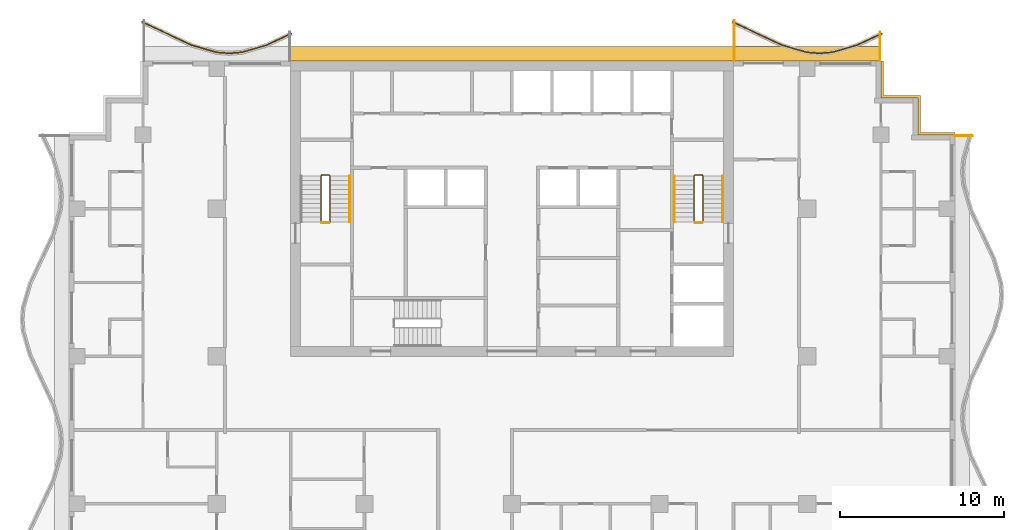
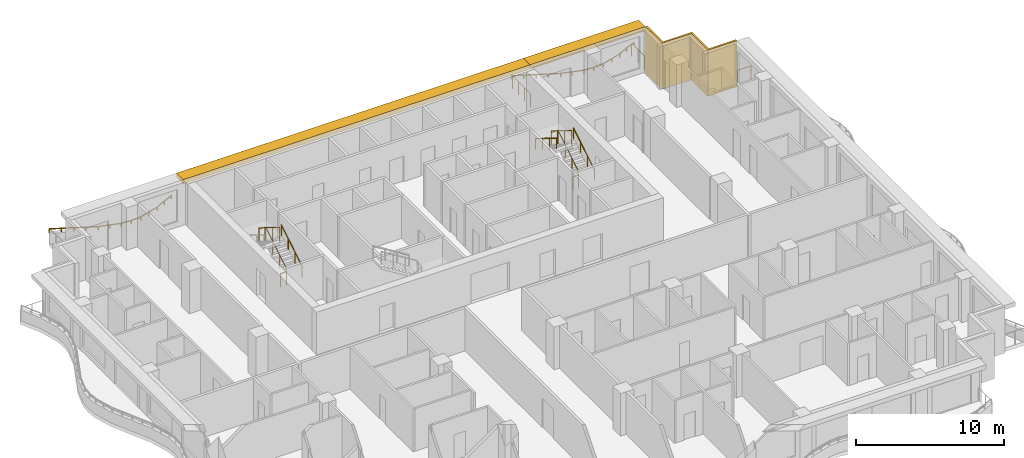
# One storey, part 11 of 11: 12 railings, 3 shading devices.
"""IFC4 building model written with IfcOpenShell, lengths in metres."""

from ifc_helpers import new_model, si_unit, direction, frame, origin, origin_2d, place, context, subcontext, project, spatial, polyline, rectangle, circle, outline, extrude, material, layer, layer_set, type_object, element, save


model = new_model("IFC4")

# Units and contexts
model_context = context("Model", 3, precision=1e-05, world=origin(), true_north=direction((0.0, 1.0)))
body_context = subcontext(model_context, "Body", "Model", "MODEL_VIEW")
ifc_project = project(units=[si_unit("LENGTHUNIT", "METRE"), si_unit("AREAUNIT", "SQUARE_METRE"), si_unit("VOLUMEUNIT", "CUBIC_METRE"), si_unit("PLANEANGLEUNIT", "RADIAN"), si_unit("MASSUNIT", "GRAM", prefix="KILO")], contexts=[model_context])

# Site, building, storey
site_placement = place(None, origin())
site = spatial("IfcSite", under=ifc_project, at=site_placement, CompositionType="ELEMENT")
building_placement = place(site_placement, origin())
building = spatial("IfcBuilding", under=site, at=building_placement, Name="Orbiselva Terraces", CompositionType="ELEMENT")
storey_placement = place(building_placement, frame((0.0, 0.0, 226.2)))
storey = spatial("IfcBuildingStorey", under=building, at=storey_placement, Name="L57", CompositionType="ELEMENT", Elevation=226.2)

# Railings
ifc_material_1 = material(Name="Stainless steel", Category="steel")
railing_type_1 = type_object("IfcRailingType", Name="CORE-GUARD-1100", PredefinedType="GUARDRAIL", material=ifc_material_1)
railing_1_placement = place(storey_placement, frame((-11.1, 12.7, 0.172727)))
element("IfcRailing", 1, at=railing_1_placement, inside=storey, type_object=railing_type_1, Name="L57 S1 stair guard 1", PredefinedType="GUARDRAIL", context=body_context, shape_type="SweptSolid", body=[
    extrude(circle(Radius=0.024, at=origin_2d()), frame((0.0, 0.0, 1.081), z_axis=(0.0, 0.851088519012, 0.52502222125), x_axis=(-1.0, 0.0, 0.0)), (0.0, 0.0, 1.0), 3.289905),
    extrude(circle(Radius=0.024, at=origin_2d()), frame((0.0, 2.8, 2.808273), z_axis=(-0.707106781187, 0.707106781187, 0.0), x_axis=(-0.707106781187, -0.707106781187, 0.0)), (0.0, 0.0, 1.0), 0.070711),
    extrude(circle(Radius=0.024, at=origin_2d()), frame((-0.05, 2.85, 2.808273), z_axis=(-1.0, 0.0, 0.0), x_axis=(0.0, -1.0, 0.0)), (0.0, 0.0, 1.0), 0.45),
    extrude(circle(Radius=0.024, at=origin_2d()), frame((-0.5, 2.85, 2.808273), z_axis=(-0.267894925557, -0.267894925557, 0.925453736133), x_axis=(0.707106781187, -0.707106781187, 0.0)), (0.0, 0.0, 1.0), 0.18664),
    extrude(circle(Radius=0.024, at=origin_2d()), frame((-0.55, 2.8, 2.981), z_axis=(0.0, -0.851088519012, 0.52502222125), x_axis=(1.0, 0.0, 0.0)), (0.0, 0.0, 1.0), 3.289905),
    extrude(circle(Radius=0.021, at=origin_2d()), origin(), (0.0, 0.0, 1.0), 1.057),
    extrude(circle(Radius=0.021, at=origin_2d()), frame((0.0, 0.933333, 0.575758)), (0.0, 0.0, 1.0), 1.057),
    extrude(circle(Radius=0.021, at=origin_2d()), frame((0.0, 1.866667, 1.151515)), (0.0, 0.0, 1.0), 1.057),
    extrude(circle(Radius=0.021, at=origin_2d()), frame((0.0, 2.8, 1.727273)), (0.0, 0.0, 1.0), 1.057),
    extrude(circle(Radius=0.021, at=origin_2d()), frame((-0.05, 2.85, 1.727273)), (0.0, 0.0, 1.0), 1.057),
    extrude(circle(Radius=0.021, at=origin_2d()), frame((-0.5, 2.85, 1.727273)), (0.0, 0.0, 1.0), 1.057),
    extrude(circle(Radius=0.021, at=origin_2d()), frame((-0.55, 2.8, 1.9)), (0.0, 0.0, 1.0), 1.057),
    extrude(circle(Radius=0.021, at=origin_2d()), frame((-0.55, 1.866667, 2.475758)), (0.0, 0.0, 1.0), 1.057),
    extrude(circle(Radius=0.021, at=origin_2d()), frame((-0.55, 0.933333, 3.051515)), (0.0, 0.0, 1.0), 1.057),
    extrude(circle(Radius=0.021, at=origin_2d()), frame((-0.55, 0.0, 3.627273)), (0.0, 0.0, 1.0), 1.057),
])
railing_2_placement = place(storey_placement, frame((-11.15, 12.65, 0.0)))
element("IfcRailing", 2, at=railing_2_placement, inside=storey, type_object=railing_type_1, Name="L57 S1 stair guard 2", PredefinedType="GUARDRAIL", context=body_context, shape_type="SweptSolid", body=[
    extrude(circle(Radius=0.024, at=origin_2d()), frame((0.0, 0.0, 1.081), z_axis=(-1.0, 0.0, 0.0), x_axis=(0.0, -1.0, 0.0)), (0.0, 0.0, 1.0), 0.45),
    extrude(circle(Radius=0.021, at=origin_2d()), origin(), (0.0, 0.0, 1.0), 1.057),
    extrude(circle(Radius=0.021, at=origin_2d()), frame((-0.45, 0.0, 0.0)), (0.0, 0.0, 1.0), 1.057),
])
railing_3_placement = place(storey_placement, frame((11.65, 12.7, 0.172727)))
element("IfcRailing", 3, at=railing_3_placement, inside=storey, type_object=railing_type_1, Name="L57 S2 stair guard 1", PredefinedType="GUARDRAIL", context=body_context, shape_type="SweptSolid", body=[
    extrude(circle(Radius=0.024, at=origin_2d()), frame((0.0, 0.0, 1.081), z_axis=(0.0, 0.851088519012, 0.52502222125), x_axis=(-1.0, 0.0, 0.0)), (0.0, 0.0, 1.0), 3.289905),
    extrude(circle(Radius=0.024, at=origin_2d()), frame((0.0, 2.8, 2.808273), z_axis=(-0.707106781187, 0.707106781187, 0.0), x_axis=(-0.707106781187, -0.707106781187, 0.0)), (0.0, 0.0, 1.0), 0.070711),
    extrude(circle(Radius=0.024, at=origin_2d()), frame((-0.05, 2.85, 2.808273), z_axis=(-1.0, 0.0, 0.0), x_axis=(0.0, -1.0, 0.0)), (0.0, 0.0, 1.0), 0.45),
    extrude(circle(Radius=0.024, at=origin_2d()), frame((-0.5, 2.85, 2.808273), z_axis=(-0.267894925557, -0.267894925557, 0.925453736133), x_axis=(0.707106781187, -0.707106781187, 0.0)), (0.0, 0.0, 1.0), 0.18664),
    extrude(circle(Radius=0.024, at=origin_2d()), frame((-0.55, 2.8, 2.981), z_axis=(0.0, -0.851088519012, 0.52502222125), x_axis=(1.0, 0.0, 0.0)), (0.0, 0.0, 1.0), 3.289905),
    extrude(circle(Radius=0.021, at=origin_2d()), origin(), (0.0, 0.0, 1.0), 1.057),
    extrude(circle(Radius=0.021, at=origin_2d()), frame((0.0, 0.933333, 0.575758)), (0.0, 0.0, 1.0), 1.057),
    extrude(circle(Radius=0.021, at=origin_2d()), frame((0.0, 1.866667, 1.151515)), (0.0, 0.0, 1.0), 1.057),
    extrude(circle(Radius=0.021, at=origin_2d()), frame((0.0, 2.8, 1.727273)), (0.0, 0.0, 1.0), 1.057),
    extrude(circle(Radius=0.021, at=origin_2d()), frame((-0.05, 2.85, 1.727273)), (0.0, 0.0, 1.0), 1.057),
    extrude(circle(Radius=0.021, at=origin_2d()), frame((-0.5, 2.85, 1.727273)), (0.0, 0.0, 1.0), 1.057),
    extrude(circle(Radius=0.021, at=origin_2d()), frame((-0.55, 2.8, 1.9)), (0.0, 0.0, 1.0), 1.057),
    extrude(circle(Radius=0.021, at=origin_2d()), frame((-0.55, 1.866667, 2.475758)), (0.0, 0.0, 1.0), 1.057),
    extrude(circle(Radius=0.021, at=origin_2d()), frame((-0.55, 0.933333, 3.051515)), (0.0, 0.0, 1.0), 1.057),
    extrude(circle(Radius=0.021, at=origin_2d()), frame((-0.55, 0.0, 3.627273)), (0.0, 0.0, 1.0), 1.057),
])
railing_4_placement = place(storey_placement, frame((11.6, 12.65, 0.0)))
element("IfcRailing", 4, at=railing_4_placement, inside=storey, type_object=railing_type_1, Name="L57 S2 stair guard 2", PredefinedType="GUARDRAIL", context=body_context, shape_type="SweptSolid", body=[
    extrude(circle(Radius=0.024, at=origin_2d()), frame((0.0, 0.0, 1.081), z_axis=(-1.0, 0.0, 0.0), x_axis=(0.0, -1.0, 0.0)), (0.0, 0.0, 1.0), 0.45),
    extrude(circle(Radius=0.021, at=origin_2d()), origin(), (0.0, 0.0, 1.0), 1.057),
    extrude(circle(Radius=0.021, at=origin_2d()), frame((-0.45, 0.0, 0.0)), (0.0, 0.0, 1.0), 1.057),
])
railing_type_2 = type_object("IfcRailingType", Name="CORE-HANDRAIL-900", PredefinedType="HANDRAIL", material=ifc_material_1)
for number, where, name in (
    (5, (-9.9, 12.7, 0.172727), "L57 S1 stair handrail 1"),
    (6, (12.85, 12.7, 0.172727), "L57 S2 stair handrail 1"),
):
    element("IfcRailing", number, at=place(storey_placement, frame(where)), inside=storey, type_object=railing_type_2, Name=name, PredefinedType="HANDRAIL", context=body_context, shape_type="SweptSolid", body=[
        extrude(circle(Radius=0.024, at=origin_2d()), frame((0.0, 0.0, 0.876), z_axis=(0.0, 0.851088519012, 0.52502222125), x_axis=(-1.0, 0.0, 0.0)), (0.0, 0.0, 1.0), 3.289905),
        extrude(circle(Radius=0.021, at=origin_2d()), origin(), (0.0, 0.0, 1.0), 0.852),
        extrude(circle(Radius=0.021, at=origin_2d()), frame((0.0, 0.933333, 0.575758)), (0.0, 0.0, 1.0), 0.852),
        extrude(circle(Radius=0.021, at=origin_2d()), frame((0.0, 1.866667, 1.151515)), (0.0, 0.0, 1.0), 0.852),
        extrude(circle(Radius=0.021, at=origin_2d()), frame((0.0, 2.8, 1.727273)), (0.0, 0.0, 1.0), 0.852),
    ])
railing_5_placement = place(storey_placement, frame((9.9, 15.5, 2.072727)))
element("IfcRailing", 7, at=railing_5_placement, inside=storey, type_object=railing_type_2, Name="L57 S2 stair handrail 2", PredefinedType="HANDRAIL", context=body_context, shape_type="SweptSolid", body=[
    extrude(circle(Radius=0.024, at=origin_2d()), frame((0.0, 0.0, 0.876), z_axis=(0.0, -0.851088519012, 0.52502222125), x_axis=(1.0, 0.0, 0.0)), (0.0, 0.0, 1.0), 3.289905),
    extrude(circle(Radius=0.021, at=origin_2d()), origin(), (0.0, 0.0, 1.0), 0.852),
    extrude(circle(Radius=0.021, at=origin_2d()), frame((0.0, -0.933333, 0.575758)), (0.0, 0.0, 1.0), 0.852),
    extrude(circle(Radius=0.021, at=origin_2d()), frame((0.0, -1.866667, 1.151515)), (0.0, 0.0, 1.0), 0.852),
    extrude(circle(Radius=0.021, at=origin_2d()), frame((0.0, -2.8, 1.727273)), (0.0, 0.0, 1.0), 0.852),
])
ifc_material_2 = material(Name="Bonded two-ply safety glass balustrade, stainless steel posts", Category="steel")
railing_type_3 = type_object("IfcRailingType", Name="ENV-BALUSTRADE-1200", PredefinedType="BALUSTRADE", material=ifc_material_2)
railing_6_placement = place(storey_placement, frame((22.553191, 24.186882, 0.9)))
element("IfcRailing", 8, at=railing_6_placement, inside=storey, type_object=railing_type_3, Name="Balcony balustrade L57 NE", PredefinedType="BALUSTRADE", context=body_context, shape_type="SweptSolid", body=[
    extrude(outline(polyline([(0.028868, 0.0), (0.014434, 0.025), (-0.014434, 0.025), (-0.028868, 0.0), (-0.014434, -0.025), (0.014434, -0.025), (0.028868, 0.0)])), frame((0.0, 0.0, 0.275), z_axis=(-0.904944157382, -0.425530342069, 0.0), x_axis=(0.425530342069, -0.904944157382, 0.0)), (0.0, 0.0, 1.0), 1.667376),
    extrude(outline(polyline([(0.028868, 0.0), (0.014434, 0.025), (-0.014434, 0.025), (-0.028868, 0.0), (-0.014434, -0.025), (0.014434, -0.025), (0.028868, 0.0)])), frame((-1.508882, -0.709519, 0.275), z_axis=(-0.960270491427, -0.279070928786, 0.0), x_axis=(0.279070928786, -0.960270491427, 0.0)), (0.0, 0.0, 1.0), 1.584712),
    extrude(outline(polyline([(0.028868, 0.0), (0.014434, 0.025), (-0.014434, 0.025), (-0.028868, 0.0), (-0.014434, -0.025), (0.014434, -0.025), (0.028868, 0.0)])), frame((-3.030634, -1.151766, 0.275), z_axis=(-0.996947796737, -0.078071061106, 0.0), x_axis=(0.078071061106, -0.996947796737, 0.0)), (0.0, 0.0, 1.0), 0.774922),
    extrude(outline(polyline([(0.028868, 0.0), (0.014434, 0.025), (-0.014434, 0.025), (-0.028868, 0.0), (-0.014434, -0.025), (0.014434, -0.025), (0.028868, 0.0)])), frame((-3.803191, -1.212265, 0.275), z_axis=(-0.996947796737, 0.078071061106, 0.0), x_axis=(-0.078071061106, -0.996947796737, 0.0)), (0.0, 0.0, 1.0), 0.774922),
    extrude(outline(polyline([(0.028868, 0.0), (0.014434, 0.025), (-0.014434, 0.025), (-0.028868, 0.0), (-0.014434, -0.025), (0.014434, -0.025), (0.028868, 0.0)])), frame((-4.575748, -1.151766, 0.275), z_axis=(-0.960270491427, 0.279070928786, 0.0), x_axis=(-0.279070928786, -0.960270491427, 0.0)), (0.0, 0.0, 1.0), 1.584712),
    extrude(outline(polyline([(0.028868, 0.0), (0.014434, 0.025), (-0.014434, 0.025), (-0.028868, 0.0), (-0.014434, -0.025), (0.014434, -0.025), (0.028868, 0.0)])), frame((-6.0975, -0.709519, 0.275), z_axis=(-0.904944157382, 0.425530342069, 0.0), x_axis=(-0.425530342069, -0.904944157382, 0.0)), (0.0, 0.0, 1.0), 1.667376),
    extrude(outline(polyline([(0.028868, 0.0), (0.014434, 0.025), (-0.014434, 0.025), (-0.028868, 0.0), (-0.014434, -0.025), (0.014434, -0.025), (0.028868, 0.0)])), frame((-7.606382, 0.0, 0.275), z_axis=(-0.904944257823, 0.425530128467, 0.0), x_axis=(-0.425530128467, -0.904944257823, 0.0)), (0.0, 0.0, 1.0), 1.657561),
    extrude(rectangle(XDim=0.05, YDim=0.05, at=origin_2d()), origin(), (0.0, 0.0, 1.0), 0.25),
    extrude(rectangle(XDim=0.05, YDim=0.05, at=origin_2d()), frame((-0.754441, -0.35476, 0.0)), (0.0, 0.0, 1.0), 0.25),
    extrude(rectangle(XDim=0.05, YDim=0.05, at=origin_2d()), frame((-1.508882, -0.709519, 0.0)), (0.0, 0.0, 1.0), 0.25),
    extrude(rectangle(XDim=0.05, YDim=0.05, at=origin_2d()), frame((-2.269758, -0.930643, 0.0)), (0.0, 0.0, 1.0), 0.25),
    extrude(rectangle(XDim=0.05, YDim=0.05, at=origin_2d()), frame((-3.030634, -1.151766, 0.0)), (0.0, 0.0, 1.0), 0.25),
    extrude(rectangle(XDim=0.05, YDim=0.05, at=origin_2d()), frame((-3.803191, -1.212265, 0.0)), (0.0, 0.0, 1.0), 0.25),
    extrude(rectangle(XDim=0.05, YDim=0.05, at=origin_2d()), frame((-4.575748, -1.151766, 0.0)), (0.0, 0.0, 1.0), 0.25),
    extrude(rectangle(XDim=0.05, YDim=0.05, at=origin_2d()), frame((-5.336624, -0.930643, 0.0)), (0.0, 0.0, 1.0), 0.25),
    extrude(rectangle(XDim=0.05, YDim=0.05, at=origin_2d()), frame((-6.0975, -0.709519, 0.0)), (0.0, 0.0, 1.0), 0.25),
    extrude(rectangle(XDim=0.05, YDim=0.05, at=origin_2d()), frame((-6.851941, -0.35476, 0.0)), (0.0, 0.0, 1.0), 0.25),
    extrude(rectangle(XDim=0.05, YDim=0.05, at=origin_2d()), frame((-7.606382, 0.0, 0.0)), (0.0, 0.0, 1.0), 0.25),
    extrude(rectangle(XDim=0.05, YDim=0.05, at=origin_2d()), frame((-8.356382, 0.352671, 0.0)), (0.0, 0.0, 1.0), 0.25),
    extrude(rectangle(XDim=0.05, YDim=0.05, at=origin_2d()), frame((-9.106382, 0.705342, 0.0)), (0.0, 0.0, 1.0), 0.25),
])
railing_7_placement = place(storey_placement, frame((-13.446809, 24.186882, 0.9)))
element("IfcRailing", 9, at=railing_7_placement, inside=storey, type_object=railing_type_3, Name="Balcony balustrade L57 NW", PredefinedType="BALUSTRADE", context=body_context, shape_type="SweptSolid", body=[
    extrude(outline(polyline([(0.028868, 0.0), (0.014434, 0.025), (-0.014434, 0.025), (-0.028868, 0.0), (-0.014434, -0.025), (0.014434, -0.025), (0.028868, 0.0)])), frame((0.0, 0.0, 0.275), z_axis=(-0.904944157382, -0.425530342069, 0.0), x_axis=(0.425530342069, -0.904944157382, 0.0)), (0.0, 0.0, 1.0), 1.667376),
    extrude(outline(polyline([(0.028868, 0.0), (0.014434, 0.025), (-0.014434, 0.025), (-0.028868, 0.0), (-0.014434, -0.025), (0.014434, -0.025), (0.028868, 0.0)])), frame((-1.508882, -0.709519, 0.275), z_axis=(-0.960270491427, -0.279070928786, 0.0), x_axis=(0.279070928786, -0.960270491427, 0.0)), (0.0, 0.0, 1.0), 1.584712),
    extrude(outline(polyline([(0.028868, 0.0), (0.014434, 0.025), (-0.014434, 0.025), (-0.028868, 0.0), (-0.014434, -0.025), (0.014434, -0.025), (0.028868, 0.0)])), frame((-3.030634, -1.151766, 0.275), z_axis=(-0.996947796737, -0.078071061106, 0.0), x_axis=(0.078071061106, -0.996947796737, 0.0)), (0.0, 0.0, 1.0), 0.774922),
    extrude(outline(polyline([(0.028868, 0.0), (0.014434, 0.025), (-0.014434, 0.025), (-0.028868, 0.0), (-0.014434, -0.025), (0.014434, -0.025), (0.028868, 0.0)])), frame((-3.803191, -1.212265, 0.275), z_axis=(-0.996947796737, 0.078071061106, 0.0), x_axis=(-0.078071061106, -0.996947796737, 0.0)), (0.0, 0.0, 1.0), 0.774922),
    extrude(outline(polyline([(0.028868, 0.0), (0.014434, 0.025), (-0.014434, 0.025), (-0.028868, 0.0), (-0.014434, -0.025), (0.014434, -0.025), (0.028868, 0.0)])), frame((-4.575748, -1.151766, 0.275), z_axis=(-0.960270491427, 0.279070928786, 0.0), x_axis=(-0.279070928786, -0.960270491427, 0.0)), (0.0, 0.0, 1.0), 1.584712),
    extrude(outline(polyline([(0.028868, 0.0), (0.014434, 0.025), (-0.014434, 0.025), (-0.028868, 0.0), (-0.014434, -0.025), (0.014434, -0.025), (0.028868, 0.0)])), frame((-6.0975, -0.709519, 0.275), z_axis=(-0.904944157382, 0.425530342069, 0.0), x_axis=(-0.425530342069, -0.904944157382, 0.0)), (0.0, 0.0, 1.0), 1.667376),
    extrude(outline(polyline([(0.028868, 0.0), (0.014434, 0.025), (-0.014434, 0.025), (-0.028868, 0.0), (-0.014434, -0.025), (0.014434, -0.025), (0.028868, 0.0)])), frame((-7.606382, 0.0, 0.275), z_axis=(-0.904944257823, 0.425530128467, 0.0), x_axis=(-0.425530128467, -0.904944257823, 0.0)), (0.0, 0.0, 1.0), 1.657561),
    extrude(rectangle(XDim=0.05, YDim=0.05, at=origin_2d()), origin(), (0.0, 0.0, 1.0), 0.25),
    extrude(rectangle(XDim=0.05, YDim=0.05, at=origin_2d()), frame((-0.754441, -0.35476, 0.0)), (0.0, 0.0, 1.0), 0.25),
    extrude(rectangle(XDim=0.05, YDim=0.05, at=origin_2d()), frame((-1.508882, -0.709519, 0.0)), (0.0, 0.0, 1.0), 0.25),
    extrude(rectangle(XDim=0.05, YDim=0.05, at=origin_2d()), frame((-2.269758, -0.930643, 0.0)), (0.0, 0.0, 1.0), 0.25),
    extrude(rectangle(XDim=0.05, YDim=0.05, at=origin_2d()), frame((-3.030634, -1.151766, 0.0)), (0.0, 0.0, 1.0), 0.25),
    extrude(rectangle(XDim=0.05, YDim=0.05, at=origin_2d()), frame((-3.803191, -1.212265, 0.0)), (0.0, 0.0, 1.0), 0.25),
    extrude(rectangle(XDim=0.05, YDim=0.05, at=origin_2d()), frame((-4.575748, -1.151766, 0.0)), (0.0, 0.0, 1.0), 0.25),
    extrude(rectangle(XDim=0.05, YDim=0.05, at=origin_2d()), frame((-5.336624, -0.930643, 0.0)), (0.0, 0.0, 1.0), 0.25),
    extrude(rectangle(XDim=0.05, YDim=0.05, at=origin_2d()), frame((-6.0975, -0.709519, 0.0)), (0.0, 0.0, 1.0), 0.25),
    extrude(rectangle(XDim=0.05, YDim=0.05, at=origin_2d()), frame((-6.851941, -0.35476, 0.0)), (0.0, 0.0, 1.0), 0.25),
    extrude(rectangle(XDim=0.05, YDim=0.05, at=origin_2d()), frame((-7.606382, 0.0, 0.0)), (0.0, 0.0, 1.0), 0.25),
    extrude(rectangle(XDim=0.05, YDim=0.05, at=origin_2d()), frame((-8.356382, 0.352671, 0.0)), (0.0, 0.0, 1.0), 0.25),
    extrude(rectangle(XDim=0.05, YDim=0.05, at=origin_2d()), frame((-9.106382, 0.705342, 0.0)), (0.0, 0.0, 1.0), 0.25),
])
ifc_material_3 = material(Name="Stainless steel rail and posts", Category="steel")
railing_type_4 = type_object("IfcRailingType", Name="ENV-GUARD-1105", PredefinedType="BALUSTRADE", material=ifc_material_3)
railing_8_placement = place(storey_placement, frame((28.070484, 17.94, 0.0)))
element("IfcRailing", 10, at=railing_8_placement, inside=storey, type_object=railing_type_4, Name="Balcony end guard L57 E", PredefinedType="BALUSTRADE", context=body_context, shape_type="SweptSolid", body=[
    extrude(outline(polyline([(0.028868, 0.0), (0.014434, 0.025), (-0.014434, 0.025), (-0.028868, 0.0), (-0.014434, -0.025), (0.014434, -0.025), (0.028868, 0.0)])), frame((0.0, 0.0, 1.08), z_axis=(-1.0, 0.0, 0.0), x_axis=(0.0, -1.0, 0.0)), (0.0, 0.0, 1.0), 1.045484),
    extrude(rectangle(XDim=0.05, YDim=0.05, at=origin_2d()), origin(), (0.0, 0.0, 1.0), 1.055),
    extrude(rectangle(XDim=0.05, YDim=0.05, at=origin_2d()), frame((-1.045484, 0.0, 0.0)), (0.0, 0.0, 1.0), 1.055),
])
railing_9_placement = place(storey_placement, frame((22.44, 24.269844, 0.0)))
element("IfcRailing", 11, at=railing_9_placement, inside=storey, type_object=railing_type_4, Name="Balcony end guard L57 NE", PredefinedType="BALUSTRADE", context=body_context, shape_type="SweptSolid", body=[
    extrude(outline(polyline([(0.028868, 0.0), (0.014434, 0.025), (-0.014434, 0.025), (-0.028868, 0.0), (-0.014434, -0.025), (0.014434, -0.025), (0.028868, 0.0)])), frame((0.0, 0.0, 1.08), z_axis=(0.0, -1.0, 0.0), x_axis=(1.0, 0.0, 0.0)), (0.0, 0.0, 1.0), 1.744844),
    extrude(rectangle(XDim=0.05, YDim=0.05, at=origin_2d()), origin(), (0.0, 0.0, 1.0), 1.055),
    extrude(rectangle(XDim=0.05, YDim=0.05, at=origin_2d()), frame((0.0, -0.872422, 0.0)), (0.0, 0.0, 1.0), 1.055),
    extrude(rectangle(XDim=0.05, YDim=0.05, at=origin_2d()), frame((0.0, -1.744844, 0.0)), (0.0, 0.0, 1.0), 1.055),
])
railing_10_placement = place(storey_placement, frame((13.56, 24.980723, 0.0)))
element("IfcRailing", 12, at=railing_10_placement, inside=storey, type_object=railing_type_4, Name="Balcony end guard L57 NE", PredefinedType="BALUSTRADE", context=body_context, shape_type="SweptSolid", body=[
    extrude(outline(polyline([(0.028868, 0.0), (0.014434, 0.025), (-0.014434, 0.025), (-0.028868, 0.0), (-0.014434, -0.025), (0.014434, -0.025), (0.028868, 0.0)])), frame((0.0, 0.0, 1.08), z_axis=(0.0, -1.0, 0.0), x_axis=(1.0, 0.0, 0.0)), (0.0, 0.0, 1.0), 2.455723),
    extrude(rectangle(XDim=0.05, YDim=0.05, at=origin_2d()), origin(), (0.0, 0.0, 1.0), 1.055),
    extrude(rectangle(XDim=0.05, YDim=0.05, at=origin_2d()), frame((0.0, -0.818574, 0.0)), (0.0, 0.0, 1.0), 1.055),
    extrude(rectangle(XDim=0.05, YDim=0.05, at=origin_2d()), frame((0.0, -1.637149, 0.0)), (0.0, 0.0, 1.0), 1.055),
    extrude(rectangle(XDim=0.05, YDim=0.05, at=origin_2d()), frame((0.0, -2.455723, 0.0)), (0.0, 0.0, 1.0), 1.055),
])

# Shading devices
ifc_material_4 = material(Name="Terracotta louvre screen", Category="masonry")
ifc_layer_1 = layer(ifc_material_4, 0.15)
ifc_layer_set_1 = layer_set([ifc_layer_1], Name="Terracotta louvre screen")
shading_device_type_1 = type_object("IfcShadingDeviceType", Name="ENV-SCREEN-150", PredefinedType="USERDEFINED", material=ifc_layer_set_1)
shading_device_1_placement = place(storey_placement, frame((0.0, 0.0, -0.3)))
element("IfcShadingDevice", 13, at=shading_device_1_placement, inside=storey, type_object=shading_device_type_1, Name="Louvre screen L57 NE", ObjectType="SCREEN", PredefinedType="USERDEFINED", context=body_context, shape_type="SweptSolid", body=[
    extrude(outline(polyline([(27.0, 18.15), (24.9, 18.15), (24.9, 20.4), (22.65, 20.4), (22.65, 22.5), (22.5, 22.5), (22.5, 20.25), (24.75, 20.25), (24.75, 18.0), (27.0, 18.0), (27.0, 18.15)])), origin(), (0.0, 0.0, 1.0), 3.8),
])
ifc_material_5 = material(Name="Terracotta baguette sunshade", Category="masonry")
ifc_layer_2 = layer(ifc_material_5, 0.35)
ifc_layer_set_2 = layer_set([ifc_layer_2], Name="Terracotta baguette sunshade")
shading_device_type_2 = type_object("IfcShadingDeviceType", Name="ENV-SUNSHADE-900x350", PredefinedType="USERDEFINED", material=ifc_layer_set_2)
shading_device_2_placement = place(storey_placement, frame((0.0, 0.0, 3.15)))
element("IfcShadingDevice", 14, at=shading_device_2_placement, inside=storey, type_object=shading_device_type_2, Name="Sunshade band L57 NE", ObjectType="SUNSHADE", PredefinedType="USERDEFINED", context=body_context, shape_type="SweptSolid", body=[
    extrude(outline(polyline([(22.5, 23.4), (13.5, 23.4), (13.5, 22.5), (22.5, 22.5), (22.5, 23.4)])), origin(), (0.0, 0.0, 1.0), 0.35),
])
shading_device_3_placement = place(storey_placement, frame((0.0, 0.0, 3.15)))
element("IfcShadingDevice", 15, at=shading_device_3_placement, inside=storey, type_object=shading_device_type_2, Name="Sunshade band L57 CORE NORTH", ObjectType="SUNSHADE", PredefinedType="USERDEFINED", context=body_context, shape_type="SweptSolid", body=[
    extrude(outline(polyline([(13.5, 23.4), (-13.5, 23.4), (-13.5, 22.5), (13.5, 22.5), (13.5, 23.4)])), origin(), (0.0, 0.0, 1.0), 0.35),
])

save(model, "model.ifc")
